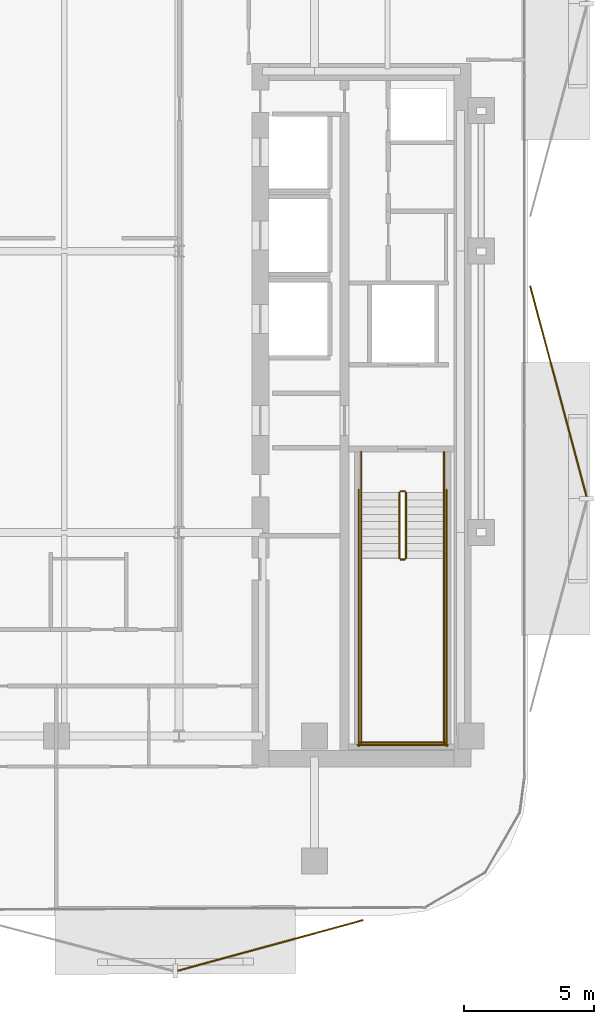
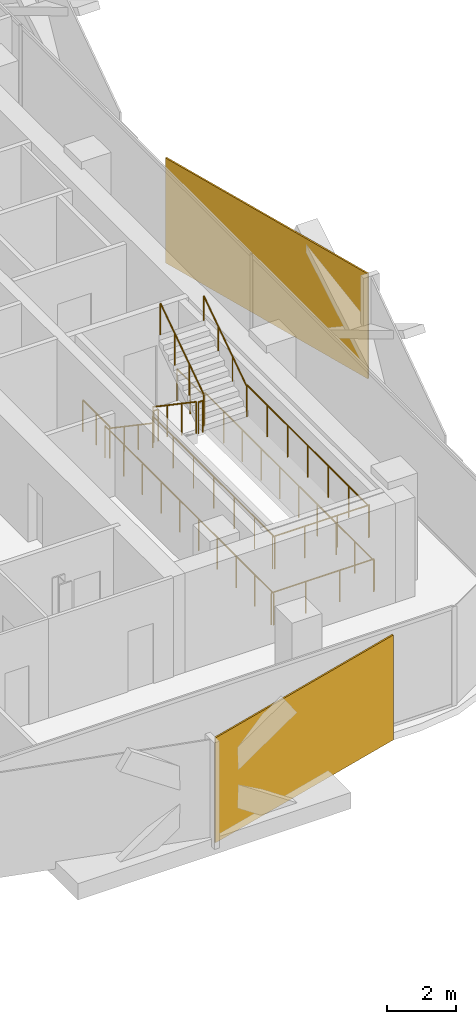
# One storey, part 15 of 17: 14 railings, 2 coverings.
"""IFC4 building model written with IfcOpenShell, lengths in metres."""

from ifc_helpers import new_model, si_unit, direction, frame, origin, origin_2d, place, context, subcontext, project, spatial, rectangle, circle, extrude, material, layer, layer_set, type_object, element, save


model = new_model("IFC4")

# Units and contexts
model_context = context("Model", 3, precision=1e-05, world=origin(), true_north=direction((0.0, 1.0)))
body_context = subcontext(model_context, "Body", "Model", "MODEL_VIEW")
ifc_project = project(units=[si_unit("LENGTHUNIT", "METRE"), si_unit("AREAUNIT", "SQUARE_METRE"), si_unit("VOLUMEUNIT", "CUBIC_METRE"), si_unit("PLANEANGLEUNIT", "RADIAN"), si_unit("MASSUNIT", "GRAM", prefix="KILO")], contexts=[model_context])

# Site, building, storey
site_placement = place(None, origin())
site = spatial("IfcSite", under=ifc_project, at=site_placement, CompositionType="ELEMENT")
building_placement = place(site_placement, origin())
building = spatial("IfcBuilding", under=site, at=building_placement, Name="Khairoan Windgate Tower", CompositionType="ELEMENT")
storey_placement = place(building_placement, frame((0.0, 0.0, 176.39990234375)))
storey = spatial("IfcBuildingStorey", under=building, at=storey_placement, Name="L40", CompositionType="ELEMENT", Elevation=176.39990234375)

# Coverings
ifc_material_1 = material(Name="Anodised Bronze Aluminium 6063-T6", Category="aluminium")
ifc_layer = layer(ifc_material_1, 0.054931640625, Name="Anodised Bronze Aluminium 6063-T6")
ifc_layer_set = layer_set([ifc_layer], Name="Anodised Bronze Aluminium 6063-T6")
covering_type = type_object("IfcCoveringType", Name="Perforated Bronze-Ceramic Folded Solar Screen Cladding BSC-1", PredefinedType="CLADDING", material=ifc_layer_set)
covering_1_placement = place(storey_placement, frame((12.712890625, -26.6376953125, -0.10009765625), z_axis=(0.0, 0.0, 1.0), x_axis=(-0.964649468762, -0.263536339841, 0.0)))
element("IfcCovering", 1, at=covering_1_placement, inside=storey, type_object=covering_type, Name="L40 Folded Bronze Solar Screen Facet 257L", PredefinedType="CLADDING", context=body_context, shape_type="SweptSolid", body=[
    extrude(rectangle(XDim=7.3759765625, YDim=0.054931640625, at=origin_2d()), origin(), (0.0, 0.0, 1.0), 3.739990234375),
])
covering_2_placement = place(storey_placement, frame((23.7587890625, -5.369873046875, -0.10009765625), z_axis=(0.0, 0.0, 1.0), x_axis=(0.258819045103, -0.965925826289, 0.0)))
element("IfcCovering", 2, at=covering_2_placement, inside=storey, type_object=covering_type, Name="L40 Folded Bronze Solar Screen Facet 264L", PredefinedType="CLADDING", context=body_context, shape_type="SweptSolid", body=[
    extrude(rectangle(XDim=8.35595703125, YDim=0.054931640625, at=origin_2d()), origin(), (0.0, 0.0, 1.0), 3.739990234375),
])

# Railings
ifc_material_2 = material(Name="Anodised Bronze Aluminium 6063-T6", Category="aluminium")
railing_type_1 = type_object("IfcRailingType", Name="Stair Wall Handrail SHR-900", PredefinedType="HANDRAIL", material=ifc_material_2)
railing_1_placement = place(storey_placement, frame((16.199951171875, -9.260009765625, 0.190185546875)))
element("IfcRailing", 3, at=railing_1_placement, inside=storey, type_object=railing_type_1, Name="L40 ST1 stair handrail 1", PredefinedType="HANDRAIL", context=body_context, shape_type="SweptSolid", body=[
    extrude(circle(Radius=0.02392578125, at=origin_2d()), frame((0.0, 0.0, 0.8759765625), z_axis=(0.0, -0.827483756001, 0.561489655786), x_axis=(1.0, 0.0, 0.0)), (0.0, 0.0, 1.0), 3.04541015625),
    extrude(circle(Radius=0.02099609375, at=origin_2d()), origin(), (0.0, 0.0, 1.0), 0.851806640625),
    extrude(circle(Radius=0.02099609375, at=origin_2d()), frame((0.0, -0.840087890625, 0.570068359375)), (0.0, 0.0, 1.0), 0.851806640625),
    extrude(circle(Radius=0.02099609375, at=origin_2d()), frame((0.0, -1.679931640625, 1.139892578125)), (0.0, 0.0, 1.0), 0.851806640625),
    extrude(circle(Radius=0.02099609375, at=origin_2d()), frame((0.0, -2.52001953125, 1.7099609375)), (0.0, 0.0, 1.0), 0.851806640625),
])
railing_2_placement = place(storey_placement, frame((19.3701171875, -11.780029296875, 2.090087890625)))
element("IfcRailing", 4, at=railing_2_placement, inside=storey, type_object=railing_type_1, Name="L40 ST1 stair handrail 2", PredefinedType="HANDRAIL", context=body_context, shape_type="SweptSolid", body=[
    extrude(circle(Radius=0.02392578125, at=origin_2d()), frame((0.0, 0.0, 0.8759765625), z_axis=(0.0, 0.827483756001, 0.561489655786), x_axis=(-1.0, 0.0, 0.0)), (0.0, 0.0, 1.0), 3.04541015625),
    extrude(circle(Radius=0.02099609375, at=origin_2d()), origin(), (0.0, 0.0, 1.0), 0.851806640625),
    extrude(circle(Radius=0.02099609375, at=origin_2d()), frame((0.0, 0.840087890625, 0.570068359375)), (0.0, 0.0, 1.0), 0.851806640625),
    extrude(circle(Radius=0.02099609375, at=origin_2d()), frame((0.0, 1.679931640625, 1.139892578125)), (0.0, 0.0, 1.0), 0.851806640625),
    extrude(circle(Radius=0.02099609375, at=origin_2d()), frame((0.0, 2.52001953125, 1.7099609375)), (0.0, 0.0, 1.0), 0.851806640625),
])
ifc_material_3 = material(Name="Steel S355", Category="steel")
railing_type_2 = type_object("IfcRailingType", Name="Stairwell Safety Guardrail SGR-1150", PredefinedType="GUARDRAIL", material=ifc_material_3)
railing_3_placement = place(storey_placement, frame((17.659912109375, -9.260009765625, 0.190185546875)))
element("IfcRailing", 5, at=railing_3_placement, inside=storey, type_object=railing_type_2, Name="L40 ST1 stair guard 1", PredefinedType="GUARDRAIL", context=body_context, shape_type="SweptSolid", body=[
    extrude(circle(Radius=0.02392578125, at=origin_2d()), frame((0.0, 0.0, 1.1259765625), z_axis=(0.0, -0.827483756001, 0.561489655786), x_axis=(1.0, 0.0, 0.0)), (0.0, 0.0, 1.0), 3.04541015625),
    extrude(circle(Radius=0.02099609375, at=origin_2d()), origin(), (0.0, 0.0, 1.0), 1.101806640625),
    extrude(circle(Radius=0.02099609375, at=origin_2d()), frame((0.0, -0.840087890625, 0.570068359375)), (0.0, 0.0, 1.0), 1.101806640625),
    extrude(circle(Radius=0.02099609375, at=origin_2d()), frame((0.0, -1.679931640625, 1.139892578125)), (0.0, 0.0, 1.0), 1.101806640625),
    extrude(circle(Radius=0.02099609375, at=origin_2d()), frame((0.0, -2.52001953125, 1.7099609375)), (0.0, 0.0, 1.0), 1.101806640625),
])
railing_4_placement = place(storey_placement, frame((17.7099609375, -11.830078125, 1.900146484375)))
element("IfcRailing", 6, at=railing_4_placement, inside=storey, type_object=railing_type_2, Name="L40 ST1 stair guard 2", PredefinedType="GUARDRAIL", context=body_context, shape_type="SweptSolid", body=[
    extrude(circle(Radius=0.02392578125, at=origin_2d()), frame((0.0, 0.0, 1.1259765625), z_axis=(1.0, 0.0, 0.0), x_axis=(0.0, 1.0, 0.0)), (0.0, 0.0, 1.0), 0.150146484375),
    extrude(circle(Radius=0.02099609375, at=origin_2d()), origin(), (0.0, 0.0, 1.0), 1.101806640625),
    extrude(circle(Radius=0.02099609375, at=origin_2d()), frame((0.150146484375, 0.0, 0.0)), (0.0, 0.0, 1.0), 1.101806640625),
])
for number, where, name in (
    (7, (16.199951171875, -11.780029296875, 1.900146484375), "L40 ST1 stair guard 3"),
    (8, (19.3701171875, -11.780029296875, 1.900146484375), "L40 ST1 stair guard 4"),
):
    element("IfcRailing", number, at=place(storey_placement, frame(where)), inside=storey, type_object=railing_type_2, Name=name, PredefinedType="GUARDRAIL", context=body_context, shape_type="SweptSolid", body=[
        extrude(circle(Radius=0.02392578125, at=origin_2d()), frame((0.0, 0.0, 1.1259765625), z_axis=(0.0, -1.0, 0.0), x_axis=(1.0, 0.0, 0.0)), (0.0, 0.0, 1.0), 7.119873046875),
        extrude(circle(Radius=0.02099609375, at=origin_2d()), origin(), (0.0, 0.0, 1.0), 1.101806640625),
        extrude(circle(Radius=0.02099609375, at=origin_2d()), frame((0.0, -1.1865234375, 0.0)), (0.0, 0.0, 1.0), 1.101806640625),
        extrude(circle(Radius=0.02099609375, at=origin_2d()), frame((0.0, -2.373291015625, 0.0)), (0.0, 0.0, 1.0), 1.101806640625),
        extrude(circle(Radius=0.02099609375, at=origin_2d()), frame((0.0, -3.56005859375, 0.0)), (0.0, 0.0, 1.0), 1.101806640625),
        extrude(circle(Radius=0.02099609375, at=origin_2d()), frame((0.0, -4.74658203125, 0.0)), (0.0, 0.0, 1.0), 1.101806640625),
        extrude(circle(Radius=0.02099609375, at=origin_2d()), frame((0.0, -5.93310546875, 0.0)), (0.0, 0.0, 1.0), 1.101806640625),
        extrude(circle(Radius=0.02099609375, at=origin_2d()), frame((0.0, -7.119873046875, 0.0)), (0.0, 0.0, 1.0), 1.101806640625),
    ])
railing_5_placement = place(storey_placement, frame((16.14990234375, -18.85009765625, 1.900146484375)))
element("IfcRailing", 9, at=railing_5_placement, inside=storey, type_object=railing_type_2, Name="L40 ST1 stair guard 5", PredefinedType="GUARDRAIL", context=body_context, shape_type="SweptSolid", body=[
    extrude(circle(Radius=0.02392578125, at=origin_2d()), frame((0.0, 0.0, 1.1259765625), z_axis=(1.0, 0.0, 0.0), x_axis=(0.0, 1.0, 0.0)), (0.0, 0.0, 1.0), 3.27001953125),
    extrude(circle(Radius=0.02099609375, at=origin_2d()), origin(), (0.0, 0.0, 1.0), 1.101806640625),
    extrude(circle(Radius=0.02099609375, at=origin_2d()), frame((1.090087890625, 0.0, 0.0)), (0.0, 0.0, 1.0), 1.101806640625),
    extrude(circle(Radius=0.02099609375, at=origin_2d()), frame((2.179931640625, 0.0, 0.0)), (0.0, 0.0, 1.0), 1.101806640625),
    extrude(circle(Radius=0.02099609375, at=origin_2d()), frame((3.27001953125, 0.0, 0.0)), (0.0, 0.0, 1.0), 1.101806640625),
])
railing_6_placement = place(storey_placement, frame((17.909912109375, -11.780029296875, 2.090087890625)))
element("IfcRailing", 10, at=railing_6_placement, inside=storey, type_object=railing_type_2, Name="L40 ST1 stair guard 6", PredefinedType="GUARDRAIL", context=body_context, shape_type="SweptSolid", body=[
    extrude(circle(Radius=0.02392578125, at=origin_2d()), frame((0.0, 0.0, 1.1259765625), z_axis=(0.0, 0.827483756001, 0.561489655786), x_axis=(-1.0, 0.0, 0.0)), (0.0, 0.0, 1.0), 3.04541015625),
    extrude(circle(Radius=0.02099609375, at=origin_2d()), origin(), (0.0, 0.0, 1.0), 1.101806640625),
    extrude(circle(Radius=0.02099609375, at=origin_2d()), frame((0.0, 0.840087890625, 0.570068359375)), (0.0, 0.0, 1.0), 1.101806640625),
    extrude(circle(Radius=0.02099609375, at=origin_2d()), frame((0.0, 1.679931640625, 1.139892578125)), (0.0, 0.0, 1.0), 1.101806640625),
    extrude(circle(Radius=0.02099609375, at=origin_2d()), frame((0.0, 2.52001953125, 1.7099609375)), (0.0, 0.0, 1.0), 1.101806640625),
])
railing_7_placement = place(storey_placement, frame((17.7099609375, -9.2099609375, 0.0)))
element("IfcRailing", 11, at=railing_7_placement, inside=storey, type_object=railing_type_2, Name="L40 ST1 stair guard 7", PredefinedType="GUARDRAIL", context=body_context, shape_type="SweptSolid", body=[
    extrude(circle(Radius=0.02392578125, at=origin_2d()), frame((0.0, 0.0, 1.1259765625), z_axis=(1.0, 0.0, 0.0), x_axis=(0.0, 1.0, 0.0)), (0.0, 0.0, 1.0), 0.150146484375),
    extrude(circle(Radius=0.02099609375, at=origin_2d()), origin(), (0.0, 0.0, 1.0), 1.101806640625),
    extrude(circle(Radius=0.02099609375, at=origin_2d()), frame((0.150146484375, 0.0, 0.0)), (0.0, 0.0, 1.0), 1.101806640625),
])
for number, where, name in (
    (12, (16.199951171875, -7.699951171875, 0.0), "L40 ST1 stair guard 8"),
    (13, (19.3701171875, -7.699951171875, 0.0), "L40 ST1 stair guard 9"),
):
    element("IfcRailing", number, at=place(storey_placement, frame(where)), inside=storey, type_object=railing_type_2, Name=name, PredefinedType="GUARDRAIL", context=body_context, shape_type="SweptSolid", body=[
        extrude(circle(Radius=0.02392578125, at=origin_2d()), frame((0.0, 0.0, 1.1259765625), z_axis=(0.0, -1.0, 0.0), x_axis=(1.0, 0.0, 0.0)), (0.0, 0.0, 1.0), 1.56005859375),
        extrude(circle(Radius=0.02099609375, at=origin_2d()), origin(), (0.0, 0.0, 1.0), 1.101806640625),
        extrude(circle(Radius=0.02099609375, at=origin_2d()), frame((0.0, -0.780029296875, 0.0)), (0.0, 0.0, 1.0), 1.101806640625),
        extrude(circle(Radius=0.02099609375, at=origin_2d()), frame((0.0, -1.56005859375, 0.0)), (0.0, 0.0, 1.0), 1.101806640625),
    ])
for number, where, name in (
    (14, (16.10009765625, -9.159912109375, 0.0), "L40 ST1 stair guard 10"),
    (15, (19.469970703125, -9.159912109375, 0.0), "L40 ST1 stair guard 11"),
):
    element("IfcRailing", number, at=place(storey_placement, frame(where)), inside=storey, type_object=railing_type_2, Name=name, PredefinedType="GUARDRAIL", context=body_context, shape_type="SweptSolid", body=[
        extrude(circle(Radius=0.02392578125, at=origin_2d()), frame((0.0, 0.0, 1.1259765625), z_axis=(0.0, -1.0, 0.0), x_axis=(1.0, 0.0, 0.0)), (0.0, 0.0, 1.0), 9.840087890625),
        extrude(circle(Radius=0.02099609375, at=origin_2d()), origin(), (0.0, 0.0, 1.0), 1.101806640625),
        extrude(circle(Radius=0.02099609375, at=origin_2d()), frame((0.0, -1.09326171875, 0.0)), (0.0, 0.0, 1.0), 1.101806640625),
        extrude(circle(Radius=0.02099609375, at=origin_2d()), frame((0.0, -2.186767578125, 0.0)), (0.0, 0.0, 1.0), 1.101806640625),
        extrude(circle(Radius=0.02099609375, at=origin_2d()), frame((0.0, -3.280029296875, 0.0)), (0.0, 0.0, 1.0), 1.101806640625),
        extrude(circle(Radius=0.02099609375, at=origin_2d()), frame((0.0, -4.373291015625, 0.0)), (0.0, 0.0, 1.0), 1.101806640625),
        extrude(circle(Radius=0.02099609375, at=origin_2d()), frame((0.0, -5.466796875, 0.0)), (0.0, 0.0, 1.0), 1.101806640625),
        extrude(circle(Radius=0.02099609375, at=origin_2d()), frame((0.0, -6.56005859375, 0.0)), (0.0, 0.0, 1.0), 1.101806640625),
        extrude(circle(Radius=0.02099609375, at=origin_2d()), frame((0.0, -7.6533203125, 0.0)), (0.0, 0.0, 1.0), 1.101806640625),
        extrude(circle(Radius=0.02099609375, at=origin_2d()), frame((0.0, -8.746826171875, 0.0)), (0.0, 0.0, 1.0), 1.101806640625),
        extrude(circle(Radius=0.02099609375, at=origin_2d()), frame((0.0, -9.840087890625, 0.0)), (0.0, 0.0, 1.0), 1.101806640625),
    ])
railing_8_placement = place(storey_placement, frame((16.050048828125, -18.949951171875, 0.0)))
element("IfcRailing", 16, at=railing_8_placement, inside=storey, type_object=railing_type_2, Name="L40 ST1 stair guard 12", PredefinedType="GUARDRAIL", context=body_context, shape_type="SweptSolid", body=[
    extrude(circle(Radius=0.02392578125, at=origin_2d()), frame((0.0, 0.0, 1.1259765625), z_axis=(1.0, 0.0, 0.0), x_axis=(0.0, 1.0, 0.0)), (0.0, 0.0, 1.0), 3.469970703125),
    extrude(circle(Radius=0.02099609375, at=origin_2d()), origin(), (0.0, 0.0, 1.0), 1.101806640625),
    extrude(circle(Radius=0.02099609375, at=origin_2d()), frame((1.15673828125, 0.0, 0.0)), (0.0, 0.0, 1.0), 1.101806640625),
    extrude(circle(Radius=0.02099609375, at=origin_2d()), frame((2.313232421875, 0.0, 0.0)), (0.0, 0.0, 1.0), 1.101806640625),
    extrude(circle(Radius=0.02099609375, at=origin_2d()), frame((3.469970703125, 0.0, 0.0)), (0.0, 0.0, 1.0), 1.101806640625),
])

save(model, "model.ifc")
